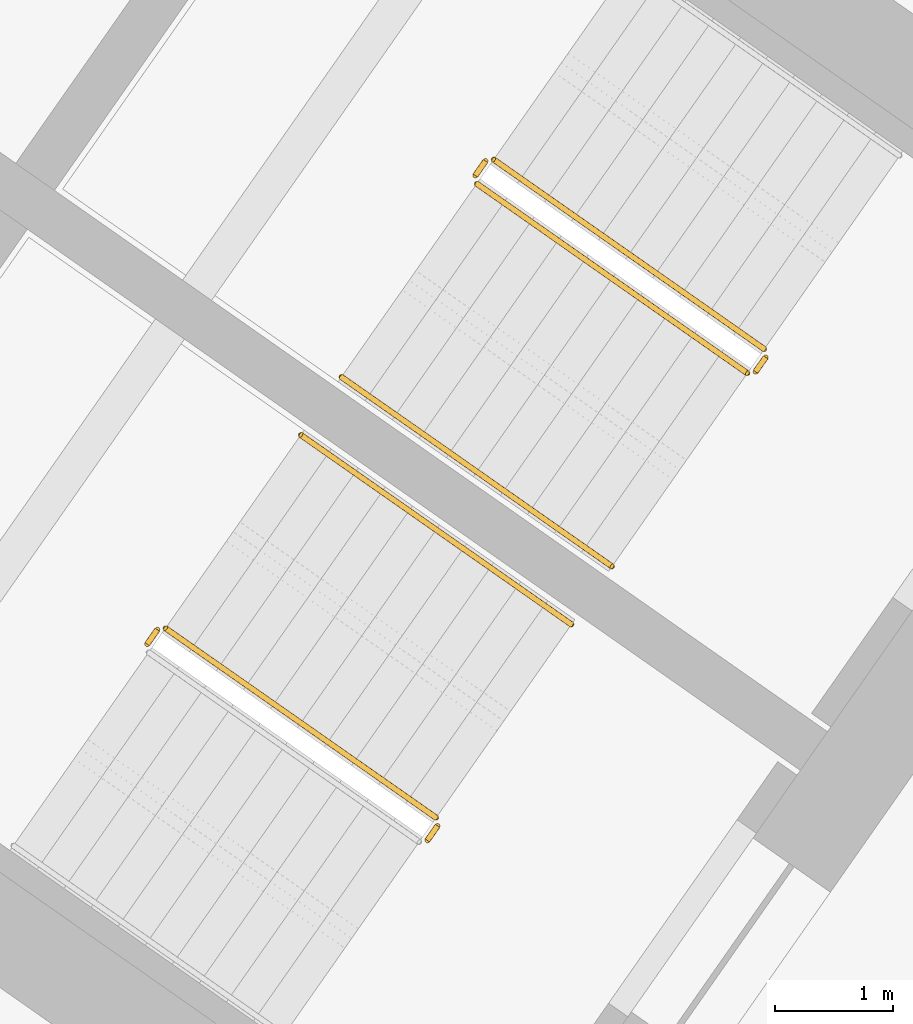
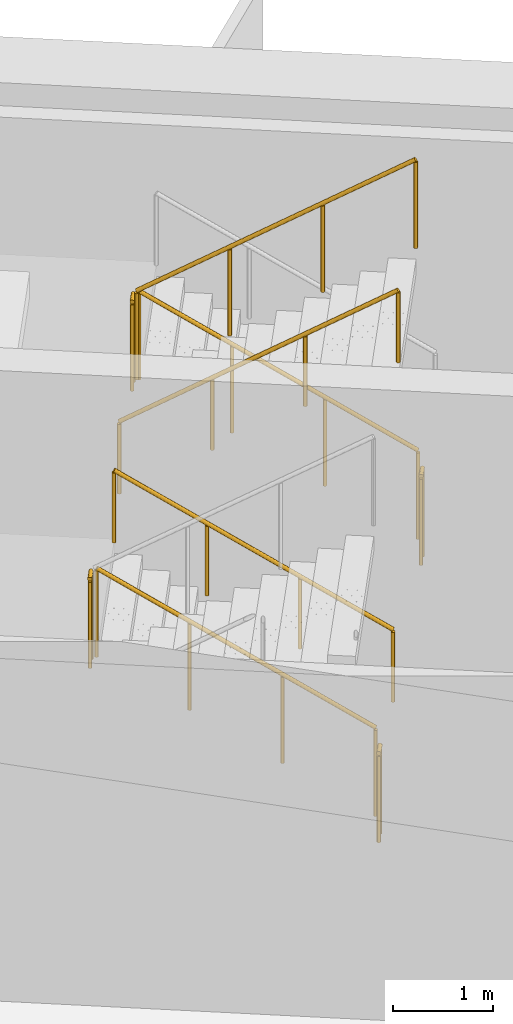
# One storey, part 20 of 21: 9 railings.
"""IFC4 building model written with IfcOpenShell, lengths in metres."""

from ifc_helpers import new_model, si_unit, direction, frame, origin, origin_2d, place, context, subcontext, project, spatial, circle, extrude, material, type_object, element, save


model = new_model("IFC4")

# Units and contexts
model_context = context("Model", 3, precision=1e-05, world=origin(), true_north=direction((0.0, 1.0)))
body_context = subcontext(model_context, "Body", "Model", "MODEL_VIEW")
ifc_project = project(units=[si_unit("LENGTHUNIT", "METRE"), si_unit("AREAUNIT", "SQUARE_METRE"), si_unit("VOLUMEUNIT", "CUBIC_METRE"), si_unit("PLANEANGLEUNIT", "RADIAN"), si_unit("MASSUNIT", "GRAM", prefix="KILO")], contexts=[model_context])

# Site, building, storey
site_placement = place(None, origin())
site = spatial("IfcSite", under=ifc_project, at=site_placement, CompositionType="ELEMENT")
building_placement = place(site_placement, origin())
building = spatial("IfcBuilding", under=site, at=building_placement, Name="Tel Ilan Convention Tower", CompositionType="ELEMENT")
storey_placement = place(building_placement, frame((0.0, 0.0, 159.300048828125)))
storey = spatial("IfcBuildingStorey", under=building, at=storey_placement, Name="L36", CompositionType="ELEMENT", Elevation=159.300048828125)

# Railings
ifc_material_1 = material(Name="Stainless Steel Grade 316", Category="steel")
railing_type_1 = type_object("IfcRailingType", Name="Stainless Steel Stair Guard 1100 mm", PredefinedType="GUARDRAIL", material=ifc_material_1)
railing_1_placement = place(storey_placement, frame((23.6787109375, -7.8515625, 0.17724609375)))
element("IfcRailing", 1, at=railing_1_placement, inside=storey, type_object=railing_type_1, Name="L36 S3 stair guard 1", PredefinedType="GUARDRAIL", context=body_context, shape_type="SweptSolid", body=[
    extrude(circle(Radius=0.02392578125, at=origin_2d()), frame((0.0, 0.0, 1.076171875), z_axis=(-0.692084706163, 0.484621375041, 0.534940073605), x_axis=(-0.573591086599, -0.819141785879, 0.0)), (0.0, 0.0, 1.0), 3.313720703125),
    extrude(circle(Radius=0.02099609375, at=origin_2d()), origin(), (0.0, 0.0, 1.0), 1.052001953125),
    extrude(circle(Radius=0.02099609375, at=origin_2d()), frame((-0.764404296875, 0.535400390625, 0.5908203125)), (0.0, 0.0, 1.0), 1.052001953125),
    extrude(circle(Radius=0.02099609375, at=origin_2d()), frame((-1.529052734375, 1.070556640625, 1.181884765625)), (0.0, 0.0, 1.0), 1.052001953125),
    extrude(circle(Radius=0.02099609375, at=origin_2d()), frame((-2.29345703125, 1.60595703125, 1.772705078125)), (0.0, 0.0, 1.0), 1.052001953125),
])
railing_2_placement = place(storey_placement, frame((21.3154296875, -6.2578125, 1.949951171875)))
element("IfcRailing", 2, at=railing_2_placement, inside=storey, type_object=railing_type_1, Name="L36 S3 stair guard 2", PredefinedType="GUARDRAIL", context=body_context, shape_type="SweptSolid", body=[
    extrude(circle(Radius=0.02392578125, at=origin_2d()), frame((0.0, 0.0, 1.076171875), z_axis=(-0.573353020881, -0.819308436089, 0.0), x_axis=(0.819308436089, -0.573353020881, 0.0)), (0.0, 0.0, 1.0), 0.14990234375),
    extrude(circle(Radius=0.02099609375, at=origin_2d()), origin(), (0.0, 0.0, 1.0), 1.052001953125),
    extrude(circle(Radius=0.02099609375, at=origin_2d()), frame((-0.0859375, -0.122802734375, 0.0)), (0.0, 0.0, 1.0), 1.052001953125),
])
railing_3_placement = place(storey_placement, frame((21.24169921875, -6.4501953125, 2.127197265625)))
element("IfcRailing", 3, at=railing_3_placement, inside=storey, type_object=railing_type_1, Name="L36 S3 stair guard 3", PredefinedType="GUARDRAIL", context=body_context, shape_type="SweptSolid", body=[
    extrude(circle(Radius=0.02392578125, at=origin_2d()), frame((0.0, 0.0, 1.076171875), z_axis=(0.692098378994, -0.484653031975, 0.534893701956), x_axis=(0.573608623498, 0.819129505664, 0.0)), (0.0, 0.0, 1.0), 3.314208984375),
    extrude(circle(Radius=0.02099609375, at=origin_2d()), origin(), (0.0, 0.0, 1.0), 1.052001953125),
    extrude(circle(Radius=0.02099609375, at=origin_2d()), frame((0.7646484375, -0.535400390625, 0.5908203125)), (0.0, 0.0, 1.0), 1.052001953125),
    extrude(circle(Radius=0.02099609375, at=origin_2d()), frame((1.529052734375, -1.07080078125, 1.181884765625)), (0.0, 0.0, 1.0), 1.052001953125),
    extrude(circle(Radius=0.02099609375, at=origin_2d()), frame((2.293701171875, -1.606201171875, 1.772705078125)), (0.0, 0.0, 1.0), 1.052001953125),
])
railing_4_placement = place(storey_placement, frame((23.691162109375, -7.921142578125, 0.0)))
element("IfcRailing", 4, at=railing_4_placement, inside=storey, type_object=railing_type_1, Name="L36 S3 stair guard 4", PredefinedType="GUARDRAIL", context=body_context, shape_type="SweptSolid", body=[
    extrude(circle(Radius=0.02392578125, at=origin_2d()), frame((0.0, 0.0, 1.076171875), z_axis=(-0.574444878118, -0.818543268254, 0.0), x_axis=(0.818543268254, -0.574444878118, 0.0)), (0.0, 0.0, 1.0), 0.150146484375),
    extrude(circle(Radius=0.02099609375, at=origin_2d()), origin(), (0.0, 0.0, 1.0), 1.052001953125),
    extrude(circle(Radius=0.02099609375, at=origin_2d()), frame((-0.086181640625, -0.122802734375, 0.0)), (0.0, 0.0, 1.0), 1.052001953125),
])
railing_5_placement = place(storey_placement, frame((20.89697265625, -11.824462890625, 0.17724609375)))
element("IfcRailing", 5, at=railing_5_placement, inside=storey, type_object=railing_type_1, Name="L36 S4 stair guard 1", PredefinedType="GUARDRAIL", context=body_context, shape_type="SweptSolid", body=[
    extrude(circle(Radius=0.02392578125, at=origin_2d()), frame((0.0, 0.0, 1.076171875), z_axis=(-0.692123088272, 0.484596665743, 0.534912798717), x_axis=(-0.573550118428, -0.819170471667, 0.0)), (0.0, 0.0, 1.0), 3.31396484375),
    extrude(circle(Radius=0.02099609375, at=origin_2d()), origin(), (0.0, 0.0, 1.0), 1.052001953125),
    extrude(circle(Radius=0.02099609375, at=origin_2d()), frame((-0.7646484375, 0.535400390625, 0.5908203125)), (0.0, 0.0, 1.0), 1.052001953125),
    extrude(circle(Radius=0.02099609375, at=origin_2d()), frame((-1.529052734375, 1.070556640625, 1.181884765625)), (0.0, 0.0, 1.0), 1.052001953125),
    extrude(circle(Radius=0.02099609375, at=origin_2d()), frame((-2.293701171875, 1.60595703125, 1.772705078125)), (0.0, 0.0, 1.0), 1.052001953125),
])
for number, where, name in (
    (6, (18.53369140625, -10.230712890625, 1.949951171875), "L36 S4 stair guard 2"),
    (7, (20.9091796875, -11.89404296875, 0.0), "L36 S4 stair guard 4"),
):
    element("IfcRailing", number, at=place(storey_placement, frame(where)), inside=storey, type_object=railing_type_1, Name=name, PredefinedType="GUARDRAIL", context=body_context, shape_type="SweptSolid", body=[
        extrude(circle(Radius=0.02392578125, at=origin_2d()), frame((0.0, 0.0, 1.076171875), z_axis=(-0.573353020881, -0.819308436089, 0.0), x_axis=(0.819308436089, -0.573353020881, 0.0)), (0.0, 0.0, 1.0), 0.14990234375),
        extrude(circle(Radius=0.02099609375, at=origin_2d()), origin(), (0.0, 0.0, 1.0), 1.052001953125),
        extrude(circle(Radius=0.02099609375, at=origin_2d()), frame((-0.0859375, -0.122802734375, 0.0)), (0.0, 0.0, 1.0), 1.052001953125),
    ])
ifc_material_2 = material(Name="Stainless Steel Grade 316", Category="steel")
railing_type_2 = type_object("IfcRailingType", Name="Stainless Steel Stair Handrail 900 mm", PredefinedType="HANDRAIL", material=ifc_material_2)
railing_6_placement = place(storey_placement, frame((20.0947265625, -8.088623046875, 2.127197265625)))
element("IfcRailing", 8, at=railing_6_placement, inside=storey, type_object=railing_type_2, Name="L36 S3 stair handrail 2", PredefinedType="HANDRAIL", context=body_context, shape_type="SweptSolid", body=[
    extrude(circle(Radius=0.02392578125, at=origin_2d()), frame((0.0, 0.0, 0.8759765625), z_axis=(0.692084706163, -0.484621375041, 0.534940073605), x_axis=(0.573591086599, 0.819141785879, 0.0)), (0.0, 0.0, 1.0), 3.313720703125),
    extrude(circle(Radius=0.02099609375, at=origin_2d()), origin(), (0.0, 0.0, 1.0), 0.851806640625),
    extrude(circle(Radius=0.02099609375, at=origin_2d()), frame((0.764404296875, -0.535400390625, 0.5908203125)), (0.0, 0.0, 1.0), 0.851806640625),
    extrude(circle(Radius=0.02099609375, at=origin_2d()), frame((1.529052734375, -1.070556640625, 1.181884765625)), (0.0, 0.0, 1.0), 0.851806640625),
    extrude(circle(Radius=0.02099609375, at=origin_2d()), frame((2.29345703125, -1.60595703125, 1.772705078125)), (0.0, 0.0, 1.0), 0.851806640625),
])
railing_7_placement = place(storey_placement, frame((22.044189453125, -10.18603515625, 0.17724609375)))
element("IfcRailing", 9, at=railing_7_placement, inside=storey, type_object=railing_type_2, Name="L36 S4 stair handrail 1", PredefinedType="HANDRAIL", context=body_context, shape_type="SweptSolid", body=[
    extrude(circle(Radius=0.02392578125, at=origin_2d()), frame((0.0, 0.0, 0.8759765625), z_axis=(-0.692123088272, 0.484596665743, 0.534912798717), x_axis=(-0.573550118428, -0.819170471667, 0.0)), (0.0, 0.0, 1.0), 3.31396484375),
    extrude(circle(Radius=0.02099609375, at=origin_2d()), origin(), (0.0, 0.0, 1.0), 0.851806640625),
    extrude(circle(Radius=0.02099609375, at=origin_2d()), frame((-0.7646484375, 0.535400390625, 0.5908203125)), (0.0, 0.0, 1.0), 0.851806640625),
    extrude(circle(Radius=0.02099609375, at=origin_2d()), frame((-1.529052734375, 1.070556640625, 1.181884765625)), (0.0, 0.0, 1.0), 0.851806640625),
    extrude(circle(Radius=0.02099609375, at=origin_2d()), frame((-2.293701171875, 1.60595703125, 1.772705078125)), (0.0, 0.0, 1.0), 0.851806640625),
])

save(model, "model.ifc")
